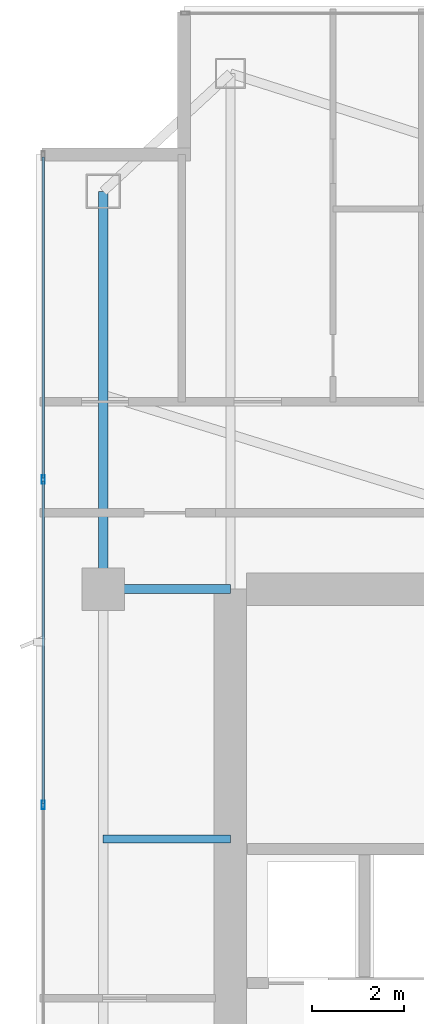
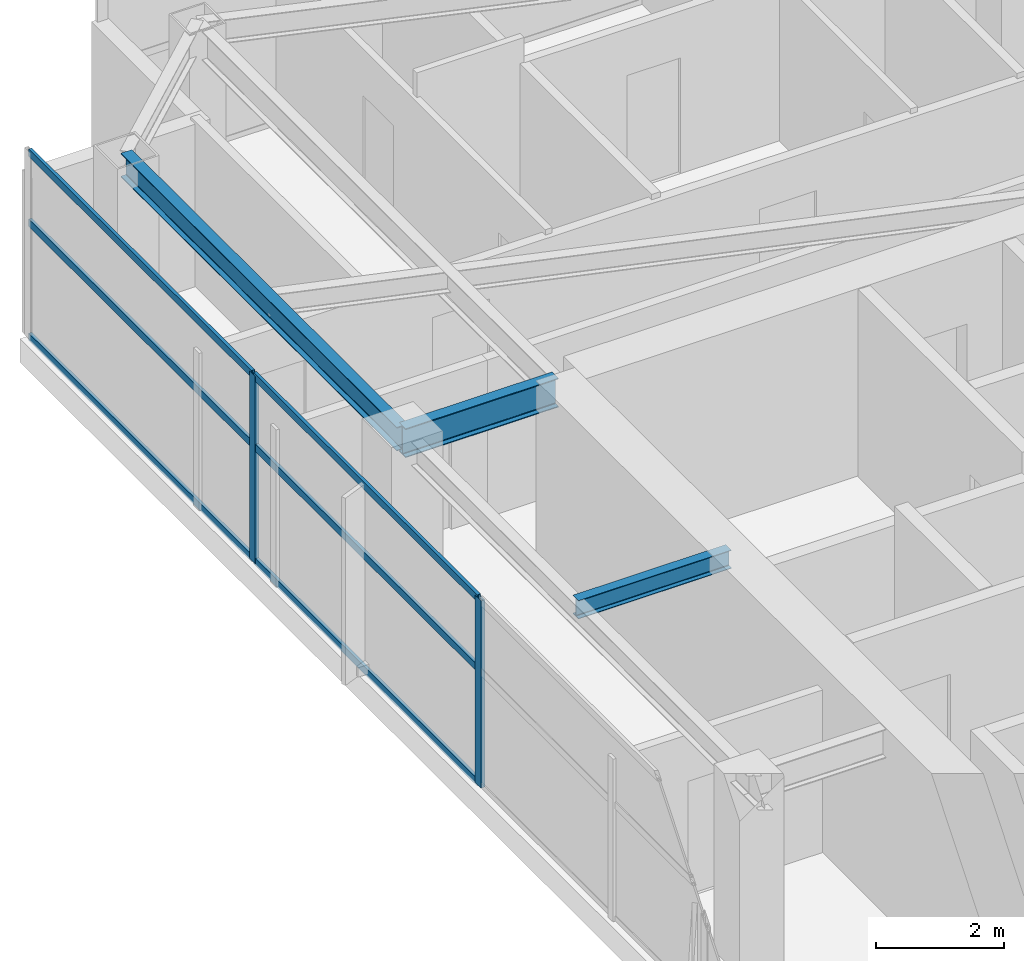
# One storey, part 15 of 28: 8 members, 3 beams, 1 element without a shape of its own.
"""IFC4 building model written with IfcOpenShell, lengths in metres."""

from ifc_helpers import new_model, si_unit, direction, frame, origin, origin_2d, place, context, subcontext, project, spatial, hollow_rectangle, i_section, extrude, material, layer, layer_set, material_profile, profile_set, type_object, element, aggregate, save


model = new_model("IFC4")

# Units and contexts
model_context = context("Model", 3, precision=1e-05, world=origin(), true_north=direction((0.0, 1.0)))
body_context = subcontext(model_context, "Body", "Model", "MODEL_VIEW")
ifc_project = project(units=[si_unit("LENGTHUNIT", "METRE"), si_unit("AREAUNIT", "SQUARE_METRE"), si_unit("VOLUMEUNIT", "CUBIC_METRE"), si_unit("PLANEANGLEUNIT", "RADIAN"), si_unit("MASSUNIT", "GRAM", prefix="KILO")], contexts=[model_context])

# Site, building, storey
site_placement = place(None, origin())
site = spatial("IfcSite", under=ifc_project, at=site_placement, CompositionType="ELEMENT")
building_placement = place(site_placement, origin())
building = spatial("IfcBuilding", under=site, at=building_placement, Name="Calvorn Quay Hotel", CompositionType="ELEMENT")
storey_placement = place(building_placement, frame((0.0, 0.0, 243.800048828125)))
storey = spatial("IfcBuildingStorey", under=building, at=storey_placement, Name="L60", CompositionType="ELEMENT", Elevation=243.800048828125)

# Beams
ifc_material_1 = material(Name="Steel Q355B", Category="steel")
ifc_material_profile_1 = material_profile(ifc_material_1, i_section(OverallWidth=0.199951171875, OverallDepth=0.550048828125, WebThickness=0.010009765625, FlangeThickness=0.01611328125, FilletRadius=0.01806640625, at=origin_2d()), Name="HN550x200x10x16")
ifc_profile_set_1 = profile_set([ifc_material_profile_1], Name="Steel Q355B")
beam_type_1 = type_object("IfcBeamType", Name="BM-GIRD-UPP", PredefinedType="BEAM", material=ifc_profile_set_1)
beam_1_placement = place(storey_placement, frame((1.449951171875, 38.39990234375, 3.264892578125), z_axis=(1.0, 0.0, 0.0), x_axis=(0.0, 1.0, 0.0)))
element("IfcBeam", 1, at=beam_1_placement, inside=storey, type_object=beam_type_1, Name="Beam BG-L60-W3", PredefinedType="BEAM", context=body_context, shape_type="SweptSolid", body=[
    extrude(i_section(OverallWidth=0.199951171875, OverallDepth=0.550048828125, WebThickness=0.010009765625, FlangeThickness=0.01611328125, FilletRadius=0.01806640625, at=origin_2d()), origin(), (0.0, 0.0, 1.0), 2.75),
])
ifc_material_2 = material(Name="Steel Q355B", Category="steel")
ifc_material_profile_2 = material_profile(ifc_material_2, i_section(OverallWidth=0.175048828125, OverallDepth=0.35009765625, WebThickness=0.007080078125, FlangeThickness=0.010986328125, FilletRadius=0.013916015625, at=origin_2d()), Name="HN350x175x7x11")
ifc_profile_set_2 = profile_set([ifc_material_profile_2], Name="Steel Q355B")
beam_type_2 = type_object("IfcBeamType", Name="BM-JOIST-SEC", PredefinedType="JOIST", material=ifc_profile_set_2)
beam_2_placement = place(storey_placement, frame((1.449951171875, 33.0, 3.364990234375), z_axis=(1.0, 0.0, 0.0), x_axis=(0.0, 1.0, 0.0)))
element("IfcBeam", 2, at=beam_2_placement, inside=storey, type_object=beam_type_2, Name="Beam BJ-L60-W4", PredefinedType="JOIST", context=body_context, shape_type="SweptSolid", body=[
    extrude(i_section(OverallWidth=0.175048828125, OverallDepth=0.35009765625, WebThickness=0.007080078125, FlangeThickness=0.010986328125, FilletRadius=0.013916015625, at=origin_2d()), origin(), (0.0, 0.0, 1.0), 2.75),
])
ifc_material_3 = material(Name="Steel Q355B", Category="steel")
ifc_material_profile_3 = material_profile(ifc_material_3, i_section(OverallWidth=0.199951171875, OverallDepth=0.449951171875, WebThickness=0.009033203125, FlangeThickness=0.013916015625, FilletRadius=0.01611328125, at=origin_2d()), Name="HN450x200x9x14")
ifc_profile_set_3 = profile_set([ifc_material_profile_3], Name="Steel Q355B")
beam_type_3 = type_object("IfcBeamType", Name="BM-SPANDREL-Z3", PredefinedType="SPANDREL", material=ifc_profile_set_3)
beam_3_placement = place(storey_placement, frame((1.449951171875, 38.39990234375, 3.31494140625), z_axis=(0.0, 1.0, 0.0), x_axis=(-1.0, 0.0, 0.0)))
element("IfcBeam", 3, at=beam_3_placement, inside=storey, type_object=beam_type_3, Name="Beam BSP-L60-W4", PredefinedType="SPANDREL", context=body_context, shape_type="SweptSolid", body=[
    extrude(i_section(OverallWidth=0.199951171875, OverallDepth=0.449951171875, WebThickness=0.009033203125, FlangeThickness=0.013916015625, FilletRadius=0.01611328125, at=origin_2d()), origin(), (0.0, 0.0, 1.0), 8.60009765625),
])

# Curtain wall, members
ifc_material_4 = material(Name="Champagne Bronze Anodised Aluminium and Low-E Glass", Category="aluminium")
ifc_layer = layer(ifc_material_4, 0.219970703125)
ifc_layer_set = layer_set([ifc_layer], Name="CW-SYS-Z3")
curtain_wall_type = type_object("IfcCurtainWallType", Name="CW-SYS-Z3", PredefinedType="NOTDEFINED", material=ifc_layer_set)
curtain_wall_placement = place(storey_placement, origin())
curtain_wall = element("IfcCurtainWall", 4, at=curtain_wall_placement, inside=storey, type_object=curtain_wall_type, Name="Tower West Curtain Wall (L60)", PredefinedType="NOTDEFINED")
ifc_material_5 = material(Name="Champagne Bronze Anodised Aluminium 6063-T6", Category="aluminium")
ifc_material_profile_4 = material_profile(ifc_material_5, hollow_rectangle(XDim=0.068115234375, YDim=0.18505859375, WallThickness=0.00390625, at=origin_2d()), Name="ALU-M185x68x4")
ifc_profile_set_4 = profile_set([ifc_material_profile_4], Name="Champagne Bronze Anodised Aluminium 6063-T6")
member_type_1 = type_object("IfcMemberType", Name="CW-SYS-Z3-MUL", PredefinedType="MULLION", material=ifc_profile_set_4)
member_1_placement = place(storey_placement, frame((0.14990234375, 33.7333984375, 0.0), z_axis=(0.0, 0.0, 1.0), x_axis=(-1.0, 0.0, 0.0)))
member_1 = element("IfcMember", 5, at=member_1_placement, type_object=member_type_1, Name="CW-L60-W mullion 5", PredefinedType="MULLION", context=body_context, shape_type="SweptSolid", body=[
    extrude(hollow_rectangle(XDim=0.068115234375, YDim=0.18505859375, WallThickness=0.00390625, at=origin_2d()), origin(), (0.0, 0.0, 1.0), 3.56005859375),
])
member_2_placement = place(storey_placement, frame((0.14990234375, 40.7666015625, 0.0), z_axis=(0.0, 0.0, 1.0), x_axis=(-1.0, 0.0, 0.0)))
member_2 = element("IfcMember", 6, at=member_2_placement, type_object=member_type_1, Name="CW-L60-W mullion 6", PredefinedType="MULLION", context=body_context, shape_type="SweptSolid", body=[
    extrude(hollow_rectangle(XDim=0.068115234375, YDim=0.18505859375, WallThickness=0.00390625, at=origin_2d()), origin(), (0.0, 0.0, 1.0), 3.56005859375),
])
ifc_material_6 = material(Name="Champagne Bronze Anodised Aluminium 6063-T6", Category="aluminium")
ifc_material_profile_5 = material_profile(ifc_material_6, hollow_rectangle(XDim=0.05810546875, YDim=0.139892578125, WallThickness=0.003173828125, at=origin_2d()), Name="ALU-T140x58x3.2")
ifc_profile_set_5 = profile_set([ifc_material_profile_5], Name="Champagne Bronze Anodised Aluminium 6063-T6")
member_type_2 = type_object("IfcMemberType", Name="CW-SYS-Z3-TRN", PredefinedType="USERDEFINED", material=ifc_profile_set_5)
member_3_placement = place(storey_placement, frame((0.14990234375, 33.763427734375, 0.030029296875), z_axis=(0.0, 1.0, 0.0), x_axis=(-1.0, 0.0, 0.0)))
member_3 = element("IfcMember", 7, at=member_3_placement, type_object=member_type_2, Name="CW-L60-W transom 5.1", ObjectType="TRANSOM", PredefinedType="USERDEFINED", context=body_context, shape_type="SweptSolid", body=[
    extrude(hollow_rectangle(XDim=0.05810546875, YDim=0.139892578125, WallThickness=0.003173828125, at=origin_2d()), origin(), (0.0, 0.0, 1.0), 6.97314453125),
])
member_4_placement = place(storey_placement, frame((0.14990234375, 33.763427734375, 2.199951171875), z_axis=(0.0, 1.0, 0.0), x_axis=(-1.0, 0.0, 0.0)))
member_4 = element("IfcMember", 8, at=member_4_placement, type_object=member_type_2, Name="CW-L60-W transom 5.2", ObjectType="TRANSOM", PredefinedType="USERDEFINED", context=body_context, shape_type="SweptSolid", body=[
    extrude(hollow_rectangle(XDim=0.05810546875, YDim=0.139892578125, WallThickness=0.003173828125, at=origin_2d()), origin(), (0.0, 0.0, 1.0), 6.97314453125),
])
member_5_placement = place(storey_placement, frame((0.14990234375, 33.763427734375, 3.530029296875), z_axis=(0.0, 1.0, 0.0), x_axis=(-1.0, 0.0, 0.0)))
member_5 = element("IfcMember", 9, at=member_5_placement, type_object=member_type_2, Name="CW-L60-W transom 5.3", ObjectType="TRANSOM", PredefinedType="USERDEFINED", context=body_context, shape_type="SweptSolid", body=[
    extrude(hollow_rectangle(XDim=0.05810546875, YDim=0.139892578125, WallThickness=0.003173828125, at=origin_2d()), origin(), (0.0, 0.0, 1.0), 6.97314453125),
])
member_6_placement = place(storey_placement, frame((0.14990234375, 40.796630859375, 0.030029296875), z_axis=(0.0, 1.0, 0.0), x_axis=(-1.0, 0.0, 0.0)))
member_6 = element("IfcMember", 10, at=member_6_placement, type_object=member_type_2, Name="CW-L60-W transom 6.1", ObjectType="TRANSOM", PredefinedType="USERDEFINED", context=body_context, shape_type="SweptSolid", body=[
    extrude(hollow_rectangle(XDim=0.05810546875, YDim=0.139892578125, WallThickness=0.003173828125, at=origin_2d()), origin(), (0.0, 0.0, 1.0), 6.943359375),
])
member_7_placement = place(storey_placement, frame((0.14990234375, 40.796630859375, 2.199951171875), z_axis=(0.0, 1.0, 0.0), x_axis=(-1.0, 0.0, 0.0)))
member_7 = element("IfcMember", 11, at=member_7_placement, type_object=member_type_2, Name="CW-L60-W transom 6.2", ObjectType="TRANSOM", PredefinedType="USERDEFINED", context=body_context, shape_type="SweptSolid", body=[
    extrude(hollow_rectangle(XDim=0.05810546875, YDim=0.139892578125, WallThickness=0.003173828125, at=origin_2d()), origin(), (0.0, 0.0, 1.0), 6.943359375),
])
member_8_placement = place(storey_placement, frame((0.14990234375, 40.796630859375, 3.530029296875), z_axis=(0.0, 1.0, 0.0), x_axis=(-1.0, 0.0, 0.0)))
member_8 = element("IfcMember", 12, at=member_8_placement, type_object=member_type_2, Name="CW-L60-W transom 6.3", ObjectType="TRANSOM", PredefinedType="USERDEFINED", context=body_context, shape_type="SweptSolid", body=[
    extrude(hollow_rectangle(XDim=0.05810546875, YDim=0.139892578125, WallThickness=0.003173828125, at=origin_2d()), origin(), (0.0, 0.0, 1.0), 6.943359375),
])
aggregate(curtain_wall, [member_1, member_2, member_3, member_4, member_5, member_6, member_7, member_8])

save(model, "model.ifc")
